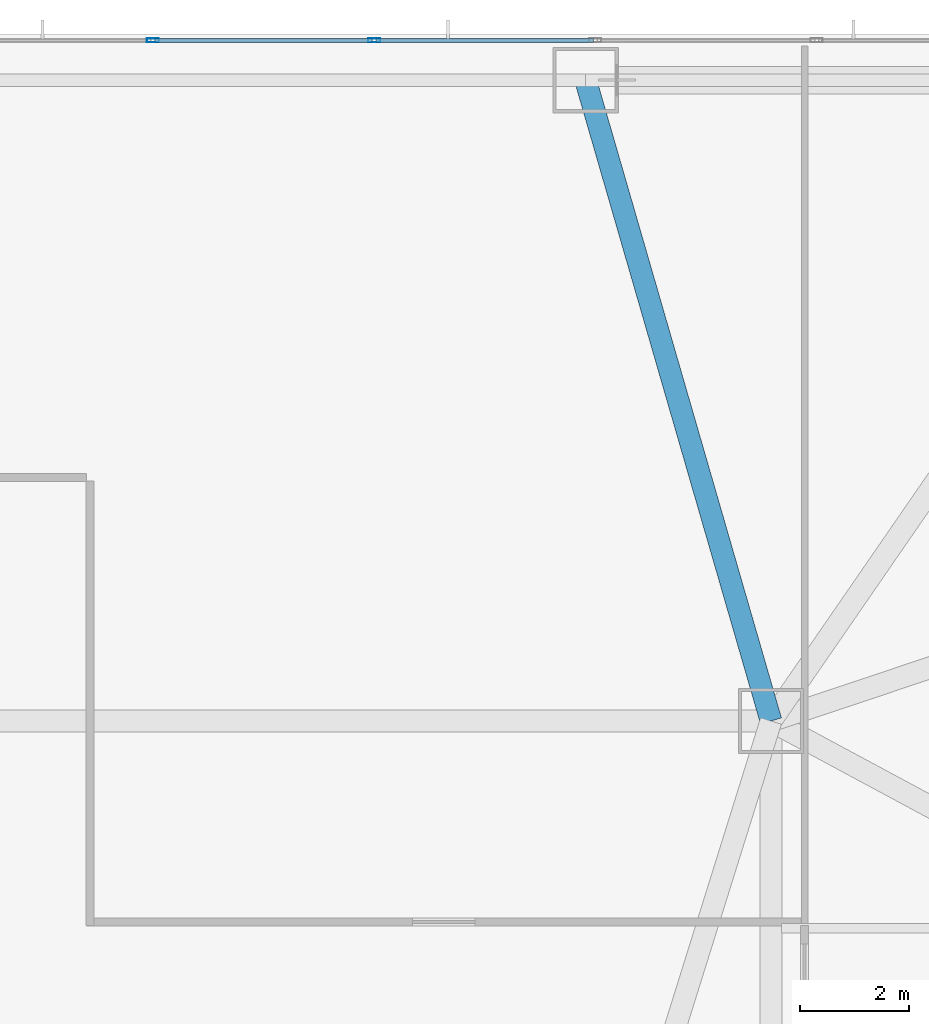
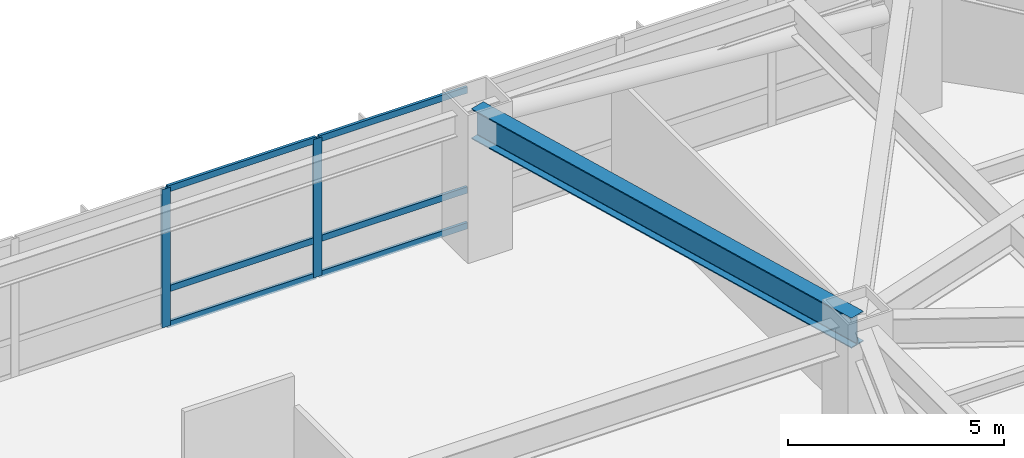
# One storey, part 6 of 25: 8 members, 1 beam, 1 element without a shape of its own.
"""IFC4 building model written with IfcOpenShell, lengths in metres."""

from ifc_helpers import new_model, si_unit, direction, frame, origin, origin_2d, place, context, subcontext, project, spatial, hollow_rectangle, i_section, extrude, material, material_profile, profile_set, type_object, element, aggregate, save


model = new_model("IFC4")

# Units and contexts
model_context = context("Model", 3, precision=1e-05, world=origin(), true_north=direction((0.0, 1.0)))
body_context = subcontext(model_context, "Body", "Model", "MODEL_VIEW")
ifc_project = project(units=[si_unit("LENGTHUNIT", "METRE"), si_unit("AREAUNIT", "SQUARE_METRE"), si_unit("VOLUMEUNIT", "CUBIC_METRE"), si_unit("PLANEANGLEUNIT", "RADIAN"), si_unit("MASSUNIT", "GRAM", prefix="KILO")], contexts=[model_context])

# Site, building, storey
site_placement = place(None, origin())
site = spatial("IfcSite", under=ifc_project, at=site_placement, CompositionType="ELEMENT")
building_placement = place(site_placement, origin())
building = spatial("IfcBuilding", under=site, at=building_placement, Name="Khamvora Tower", CompositionType="ELEMENT")
storey_placement = place(building_placement, frame((0.0, 0.0, 24.60009765625)))
storey = spatial("IfcBuildingStorey", under=building, at=storey_placement, Name="L05", CompositionType="ELEMENT", Elevation=24.60009765625)

# Beam
ifc_material_1 = material(Name="Steel S355", Category="steel")
ifc_material_profile_1 = material_profile(ifc_material_1, i_section(OverallWidth=0.39990234375, OverallDepth=0.85498046875, WebThickness=0.01806640625, FlangeThickness=0.029052734375, FilletRadius=0.01806640625, at=origin_2d()), Name="W840x299")
ifc_profile_set_1 = profile_set([ifc_material_profile_1], Name="Steel S355")
beam_type = type_object("IfcBeamType", Name="BM-PG-W840x299", PredefinedType="BEAM", material=ifc_profile_set_1)
beam_placement = place(storey_placement, frame((41.39990234375, 43.39990234375, 3.492919921875), z_axis=(-0.277951455854, 0.960595121885, 0.0), x_axis=(-0.960595121885, -0.277951455854, 0.0)))
element("IfcBeam", 1, at=beam_placement, inside=storey, type_object=beam_type, Name="L05 primary floor girder P07", PredefinedType="BEAM", context=body_context, shape_type="SweptSolid", body=[
    extrude(i_section(OverallWidth=0.39990234375, OverallDepth=0.85498046875, WebThickness=0.01806640625, FlangeThickness=0.029052734375, FilletRadius=0.01806640625, at=origin_2d()), origin(), (0.0, 0.0, 1.0), 12.23193359375),
])

# Curtain wall, members
ifc_material_2 = material(Name="Anodised Aluminium 6063-T6", Category="aluminium")
curtain_wall_type = type_object("IfcCurtainWallType", Name="CW-SYS-01", PredefinedType="NOTDEFINED", material=ifc_material_2)
curtain_wall_placement = place(storey_placement, origin())
curtain_wall = element("IfcCurtainWall", 2, at=curtain_wall_placement, inside=storey, type_object=curtain_wall_type, Name="L05 stick curtain wall 07.1", PredefinedType="NOTDEFINED")
ifc_material_profile_2 = material_profile(ifc_material_2, hollow_rectangle(XDim=0.074951171875, YDim=0.219970703125, WallThickness=0.0048828125, at=origin_2d()), Name="MUL75x220x5")
ifc_profile_set_2 = profile_set([ifc_material_profile_2], Name="Anodised Aluminium 6063-T6")
member_type_1 = type_object("IfcMemberType", Name="CW-SYS-01-MUL", PredefinedType="MULLION", material=ifc_profile_set_2)
member_1_placement = place(storey_placement, frame((30.06689453125, 55.8798828125, 0.0), z_axis=(0.0, 0.0, 1.0), x_axis=(0.0, 1.0, 0.0)))
member_1 = element("IfcMember", 3, at=member_1_placement, type_object=member_type_1, Name="CW-01 mullion 7", PredefinedType="MULLION", context=body_context, shape_type="SweptSolid", body=[
    extrude(hollow_rectangle(XDim=0.074951171875, YDim=0.219970703125, WallThickness=0.0048828125, at=origin_2d()), origin(), (0.0, 0.0, 1.0), 3.919921875),
])
member_2_placement = place(storey_placement, frame((34.12353515625, 55.8798828125, 0.0), z_axis=(0.0, 0.0, 1.0), x_axis=(0.0, 1.0, 0.0)))
member_2 = element("IfcMember", 4, at=member_2_placement, type_object=member_type_1, Name="CW-01 mullion 8", PredefinedType="MULLION", context=body_context, shape_type="SweptSolid", body=[
    extrude(hollow_rectangle(XDim=0.074951171875, YDim=0.219970703125, WallThickness=0.0048828125, at=origin_2d()), origin(), (0.0, 0.0, 1.0), 3.919921875),
])
ifc_material_profile_3 = material_profile(ifc_material_2, hollow_rectangle(XDim=0.074951171875, YDim=0.179931640625, WallThickness=0.0048828125, at=origin_2d()), Name="TRN75x180x5")
ifc_profile_set_3 = profile_set([ifc_material_profile_3], Name="Anodised Aluminium 6063-T6")
member_type_2 = type_object("IfcMemberType", Name="CW-SYS-01-TRN", PredefinedType="USERDEFINED", material=ifc_profile_set_3)
member_3_placement = place(storey_placement, frame((30.104248046875, 55.8798828125, 0.037353515625), z_axis=(1.0, 0.0, 0.0), x_axis=(0.0, 1.0, 0.0)))
member_3 = element("IfcMember", 5, at=member_3_placement, type_object=member_type_2, Name="CW-01 transom 7.1", ObjectType="TRANSOM", PredefinedType="USERDEFINED", context=body_context, shape_type="SweptSolid", body=[
    extrude(hollow_rectangle(XDim=0.074951171875, YDim=0.179931640625, WallThickness=0.0048828125, at=origin_2d()), origin(), (0.0, 0.0, 1.0), 3.981689453125),
])
member_4_placement = place(storey_placement, frame((30.104248046875, 55.8798828125, 1.0498046875), z_axis=(1.0, 0.0, 0.0), x_axis=(0.0, 1.0, 0.0)))
member_4 = element("IfcMember", 6, at=member_4_placement, type_object=member_type_2, Name="CW-01 transom 7.2", ObjectType="TRANSOM", PredefinedType="USERDEFINED", context=body_context, shape_type="SweptSolid", body=[
    extrude(hollow_rectangle(XDim=0.074951171875, YDim=0.179931640625, WallThickness=0.0048828125, at=origin_2d()), origin(), (0.0, 0.0, 1.0), 3.981689453125),
])
member_5_placement = place(storey_placement, frame((30.104248046875, 55.8798828125, 3.88232421875), z_axis=(1.0, 0.0, 0.0), x_axis=(0.0, 1.0, 0.0)))
member_5 = element("IfcMember", 7, at=member_5_placement, type_object=member_type_2, Name="CW-01 transom 7.3", ObjectType="TRANSOM", PredefinedType="USERDEFINED", context=body_context, shape_type="SweptSolid", body=[
    extrude(hollow_rectangle(XDim=0.074951171875, YDim=0.179931640625, WallThickness=0.0048828125, at=origin_2d()), origin(), (0.0, 0.0, 1.0), 3.981689453125),
])
member_6_placement = place(storey_placement, frame((34.160888671875, 55.8798828125, 0.037353515625), z_axis=(1.0, 0.0, 0.0), x_axis=(0.0, 1.0, 0.0)))
member_6 = element("IfcMember", 8, at=member_6_placement, type_object=member_type_2, Name="CW-01 transom 8.1", ObjectType="TRANSOM", PredefinedType="USERDEFINED", context=body_context, shape_type="SweptSolid", body=[
    extrude(hollow_rectangle(XDim=0.074951171875, YDim=0.179931640625, WallThickness=0.0048828125, at=origin_2d()), origin(), (0.0, 0.0, 1.0), 3.981689453125),
])
member_7_placement = place(storey_placement, frame((34.160888671875, 55.8798828125, 1.0498046875), z_axis=(1.0, 0.0, 0.0), x_axis=(0.0, 1.0, 0.0)))
member_7 = element("IfcMember", 9, at=member_7_placement, type_object=member_type_2, Name="CW-01 transom 8.2", ObjectType="TRANSOM", PredefinedType="USERDEFINED", context=body_context, shape_type="SweptSolid", body=[
    extrude(hollow_rectangle(XDim=0.074951171875, YDim=0.179931640625, WallThickness=0.0048828125, at=origin_2d()), origin(), (0.0, 0.0, 1.0), 3.981689453125),
])
member_8_placement = place(storey_placement, frame((34.160888671875, 55.8798828125, 3.88232421875), z_axis=(1.0, 0.0, 0.0), x_axis=(0.0, 1.0, 0.0)))
member_8 = element("IfcMember", 10, at=member_8_placement, type_object=member_type_2, Name="CW-01 transom 8.3", ObjectType="TRANSOM", PredefinedType="USERDEFINED", context=body_context, shape_type="SweptSolid", body=[
    extrude(hollow_rectangle(XDim=0.074951171875, YDim=0.179931640625, WallThickness=0.0048828125, at=origin_2d()), origin(), (0.0, 0.0, 1.0), 3.981689453125),
])
aggregate(curtain_wall, [member_1, member_2, member_3, member_4, member_5, member_6, member_7, member_8])

save(model, "model.ifc")
